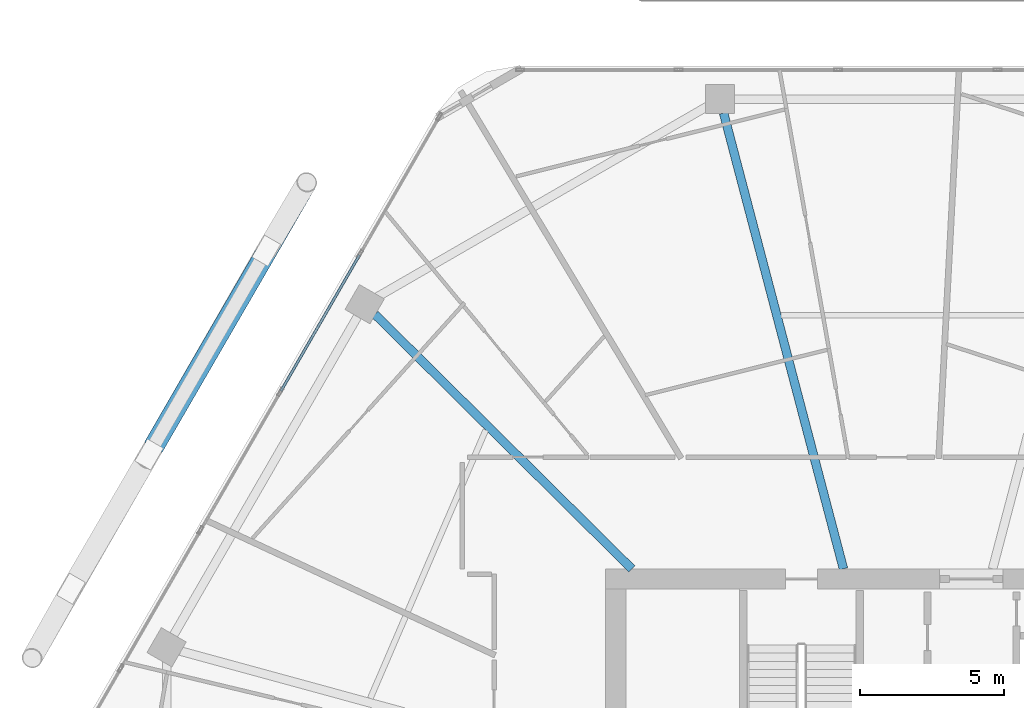
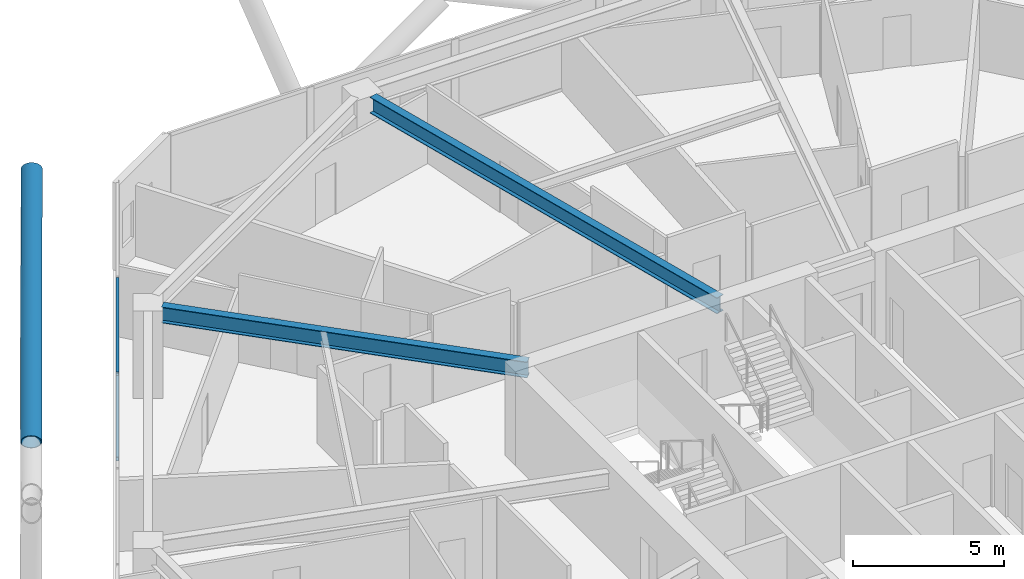
# One storey, part 12 of 28: 3 members, 2 beams, 1 element without a shape of its own.
"""IFC4 building model written with IfcOpenShell, lengths in metres."""

from ifc_helpers import new_model, si_unit, direction, frame, origin, origin_2d, place, context, subcontext, project, spatial, hollow_rectangle, hollow_circle, i_section, extrude, material, material_profile, profile_set, type_object, element, aggregate, save


model = new_model("IFC4")

# Units and contexts
model_context = context("Model", 3, precision=1e-05, world=origin(), true_north=direction((0.0, 1.0)))
body_context = subcontext(model_context, "Body", "Model", "MODEL_VIEW")
ifc_project = project(units=[si_unit("LENGTHUNIT", "METRE"), si_unit("AREAUNIT", "SQUARE_METRE"), si_unit("VOLUMEUNIT", "CUBIC_METRE"), si_unit("PLANEANGLEUNIT", "RADIAN"), si_unit("MASSUNIT", "GRAM", prefix="KILO")], contexts=[model_context])

# Site, building, storey
site_placement = place(None, origin())
site = spatial("IfcSite", under=ifc_project, at=site_placement, CompositionType="ELEMENT")
building_placement = place(site_placement, origin())
building = spatial("IfcBuilding", under=site, at=building_placement, Name="Zuhravey Tower", CompositionType="ELEMENT")
storey_placement = place(building_placement, frame((0.0, 0.0, 169.39990234375)))
storey = spatial("IfcBuildingStorey", under=building, at=storey_placement, Name="L42", CompositionType="ELEMENT", Elevation=169.39990234375)

# Curtain wall, members
ifc_material_1 = material(Name="Thermally broken anodised aluminium", Category="aluminium")
curtain_wall_type = type_object("IfcCurtainWallType", Name="Zone 1-2 Residential Curtain Wall CW3", PredefinedType="NOTDEFINED", material=ifc_material_1)
curtain_wall_placement = place(storey_placement, origin())
curtain_wall = element("IfcCurtainWall", 1, at=curtain_wall_placement, inside=storey, type_object=curtain_wall_type, Name="L42 CW3 CW-L42-F3-1", PredefinedType="NOTDEFINED")
ifc_material_2 = material(Name="Anodised aluminium", Category="aluminium")
ifc_material_profile_1 = material_profile(ifc_material_2, hollow_rectangle(XDim=0.090087890625, YDim=0.14990234375, WallThickness=0.0048828125, at=origin_2d()), Name="ALU-RHS-90x150x5")
ifc_profile_set_1 = profile_set([ifc_material_profile_1], Name="Anodised aluminium")
member_type_1 = type_object("IfcMemberType", Name="Curtain-Wall Transom 90x150", PredefinedType="USERDEFINED", material=ifc_profile_set_1)
member_1_placement = place(storey_placement, frame((13.867431640625, 48.03125, 0.045166015625), z_axis=(0.49996138257, 0.86604769842, 0.0), x_axis=(-0.86604769842, 0.49996138257, 0.0)))
member_1 = element("IfcMember", 2, at=member_1_placement, type_object=member_type_1, Name="CW3 transom 4.1", ObjectType="TRANSOM", PredefinedType="USERDEFINED", context=body_context, shape_type="SweptSolid", body=[
    extrude(hollow_rectangle(XDim=0.090087890625, YDim=0.14990234375, WallThickness=0.0048828125, at=origin_2d()), origin(), (0.0, 0.0, 1.0), 5.45458984375),
])
member_2_placement = place(storey_placement, frame((13.867431640625, 48.03125, 3.505126953125), z_axis=(0.49996138257, 0.86604769842, 0.0), x_axis=(-0.86604769842, 0.49996138257, 0.0)))
member_2 = element("IfcMember", 3, at=member_2_placement, type_object=member_type_1, Name="CW3 transom 4.2", ObjectType="TRANSOM", PredefinedType="USERDEFINED", context=body_context, shape_type="SweptSolid", body=[
    extrude(hollow_rectangle(XDim=0.090087890625, YDim=0.14990234375, WallThickness=0.0048828125, at=origin_2d()), origin(), (0.0, 0.0, 1.0), 5.45458984375),
])
aggregate(curtain_wall, [member_1, member_2])

# Member
ifc_material_3 = material(Name="Steel SM460", Category="steel")
ifc_material_profile_2 = material_profile(ifc_material_3, hollow_circle(Radius=0.355712890625, WallThickness=0.031982421875, at=origin_2d()), Name="CHS-711.2x32")
ifc_profile_set_2 = profile_set([ifc_material_profile_2], Name="Steel SM460")
member_type_2 = type_object("IfcMemberType", Name="Exoskeleton Zone 2 Diagrid CHS711x32", PredefinedType="BRACE", material=ifc_profile_set_2)
member_3_placement = place(storey_placement, frame((9.44775390625, 46.105224609375, 3.449462890625), z_axis=(0.473436747234, 0.817452905317, 0.328067666736), x_axis=(-0.86534615854, 0.501174646107, 0.0)))
element("IfcMember", 4, at=member_3_placement, inside=storey, type_object=member_type_2, Name="L42 Face 3 Split Diagrid Brace 3B", PredefinedType="BRACE", context=body_context, shape_type="SweptSolid", body=[
    extrude(hollow_circle(Radius=0.355712890625, WallThickness=0.031982421875, at=origin_2d()), origin(), (0.0, 0.0, 1.0), 11.190185546875),
])

# Beams
ifc_material_4 = material(Name="Steel SM355", Category="steel")
ifc_material_profile_3 = material_profile(ifc_material_4, i_section(OverallWidth=0.300048828125, OverallDepth=0.64990234375, WebThickness=0.012939453125, FlangeThickness=0.02197265625, at=origin_2d()), Name="H-650x300x13x22")
ifc_profile_set_3 = profile_set([ifc_material_profile_3], Name="Steel SM355")
beam_type = type_object("IfcBeamType", Name="Radial Primary Girder H650x300", PredefinedType="BEAM", material=ifc_profile_set_3)
beam_1_placement = place(storey_placement, frame((33.4091796875, 41.85302734375, 3.22509765625), z_axis=(-0.254300244998, 0.967125320418, 0.0), x_axis=(-0.967125320418, -0.254300244998, 0.0)))
element("IfcBeam", 5, at=beam_1_placement, inside=storey, type_object=beam_type, Name="L42 RG2 BM-L42-RAD-04", PredefinedType="BEAM", context=body_context, shape_type="SweptSolid", body=[
    extrude(i_section(OverallWidth=0.300048828125, OverallDepth=0.64990234375, WebThickness=0.012939453125, FlangeThickness=0.02197265625, at=origin_2d()), origin(), (0.0, 0.0, 1.0), 16.371826171875),
])
beam_2_placement = place(storey_placement, frame((26.054443359375, 41.85302734375, 3.22509765625), z_axis=(-0.71040353357, 0.703794586148, 0.0), x_axis=(-0.703794586148, -0.71040353357, 0.0)))
element("IfcBeam", 6, at=beam_2_placement, inside=storey, type_object=beam_type, Name="L42 RG2 BM-L42-RAD-05", PredefinedType="BEAM", context=body_context, shape_type="SweptSolid", body=[
    extrude(i_section(OverallWidth=0.300048828125, OverallDepth=0.64990234375, WebThickness=0.012939453125, FlangeThickness=0.02197265625, at=origin_2d()), origin(), (0.0, 0.0, 1.0), 12.559814453125),
])

save(model, "model.ifc")
